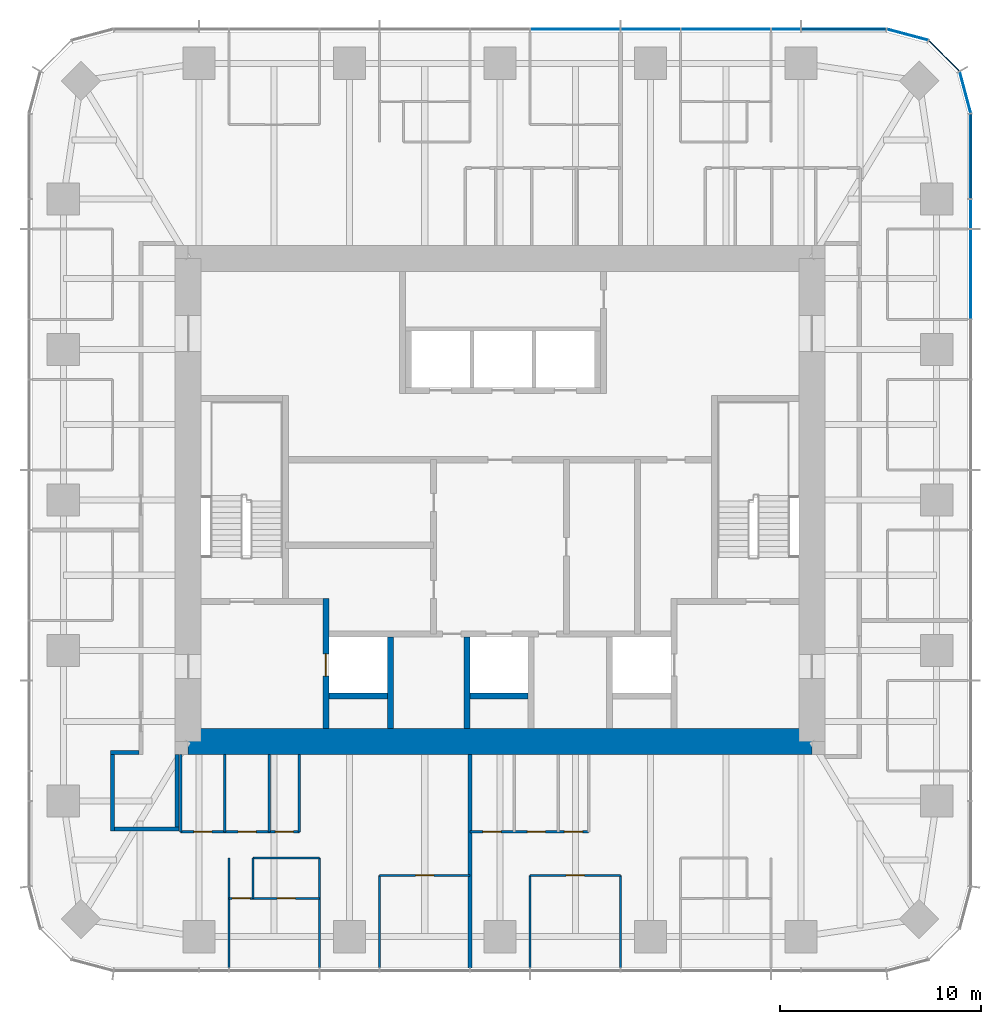
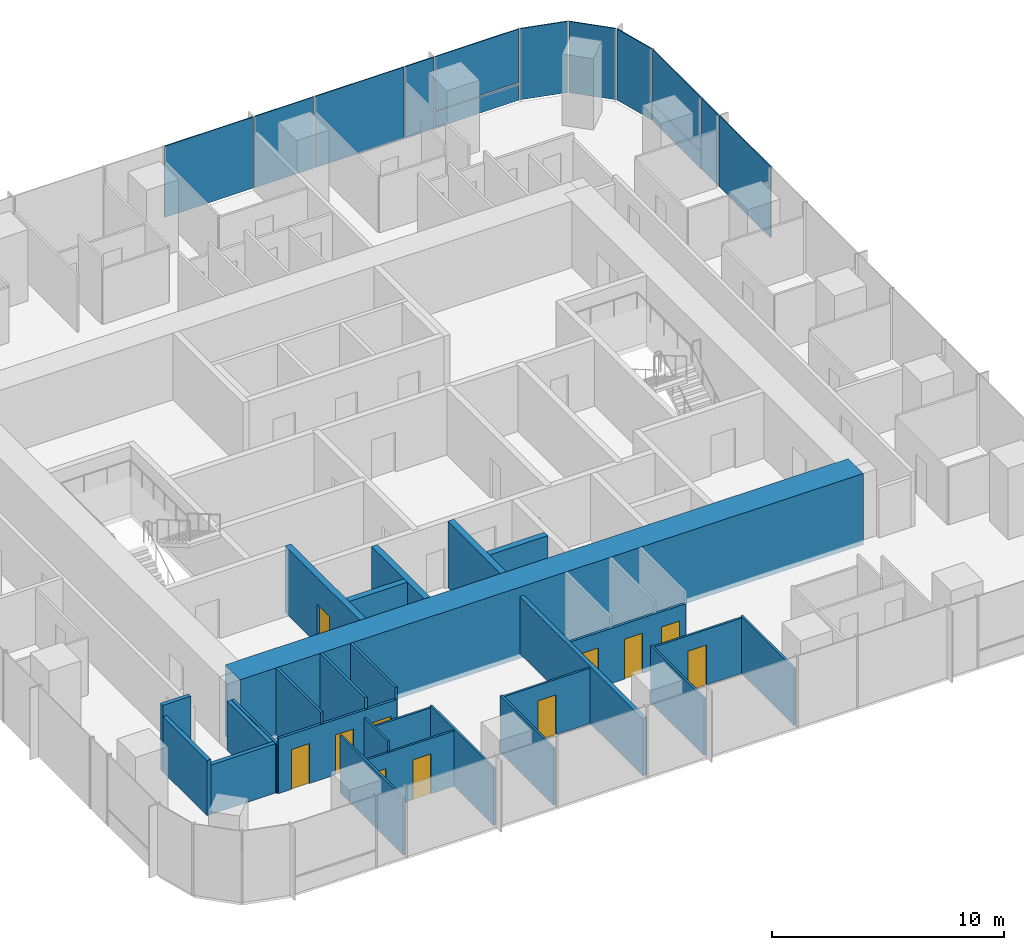
# One storey, part 8 of 12: 27 walls, 13 plates, 11 doors, 11 openings, 3 elements without a shape of their own.
"""IFC4 building model written with IfcOpenShell, lengths in metres."""

from ifc_helpers import new_model, si_unit, direction, frame, frame_2d, origin, origin_2d, place, context, subcontext, project, spatial, rectangle, extrude, material, layer, layer_set, type_object, element, fill, aggregate, save


model = new_model("IFC4")

# Units and contexts
model_context = context("Model", 3, precision=1e-05, world=origin(), true_north=direction((0.0, 1.0)))
body_context = subcontext(model_context, "Body", "Model", "MODEL_VIEW")
ifc_project = project(units=[si_unit("LENGTHUNIT", "METRE"), si_unit("AREAUNIT", "SQUARE_METRE"), si_unit("VOLUMEUNIT", "CUBIC_METRE"), si_unit("PLANEANGLEUNIT", "RADIAN"), si_unit("MASSUNIT", "GRAM", prefix="KILO")], contexts=[model_context])

# Site, building, storey
site_placement = place(None, origin())
site = spatial("IfcSite", under=ifc_project, at=site_placement, CompositionType="ELEMENT")
building_placement = place(site_placement, origin())
building = spatial("IfcBuilding", under=site, at=building_placement, Name="Khuree Lantern Residences", CompositionType="ELEMENT")
storey_placement = place(building_placement, frame((0.0, 0.0, 323.25)))
storey = spatial("IfcBuildingStorey", under=building, at=storey_placement, Name="L81", CompositionType="ELEMENT", Elevation=323.25)

# Curtain wall, plates
ifc_material_1 = material(Name="Bronze anodised aluminium", Category="aluminium")
curtain_wall_type_1 = type_object("IfcCurtainWallType", Name="CW-T2 TOWER CORNER CURTAIN WALL", PredefinedType="USERDEFINED", material=ifc_material_1)
curtain_wall_1_placement = place(storey_placement, origin())
curtain_wall_1 = element("IfcCurtainWall", 1, at=curtain_wall_1_placement, inside=storey, type_object=curtain_wall_type_1, Name="L81 NORTH-EAST CORNER CURTAIN WALL", ObjectType="Faceted corner curtain wall", PredefinedType="USERDEFINED")
ifc_material_2 = material(Name="Bronze tinted triple glazing", Category="glass")
ifc_layer_1 = layer(ifc_material_2, 0.048095703125)
ifc_layer_set_1 = layer_set([ifc_layer_1], Name="FACET PANEL P4")
plate_type_1 = type_object("IfcPlateType", Name="FACET PANEL P4", PredefinedType="CURTAIN_PANEL", material=ifc_layer_set_1)
plate_1_placement = place(storey_placement, frame((23.119140625, 20.248046875, 0.0), z_axis=(0.0, 0.0, 1.0), x_axis=(-0.2588189146, 0.965925861257, 0.0)))
plate_1 = element("IfcPlate", 2, at=plate_1_placement, type_object=plate_type_1, Name="L81 NORTH-EAST CORNER PANEL 15.1", PredefinedType="CURTAIN_PANEL", context=body_context, shape_type="SweptSolid", body=[
    extrude(rectangle(XDim=2.09814453125, YDim=0.048095703125, at=origin_2d()), origin(), (0.0, 0.0, 1.0), 3.75),
])
plate_2_placement = place(storey_placement, frame((22.068603515625, 22.068603515625, 0.0), z_axis=(0.0, 0.0, 1.0), x_axis=(-0.707106781187, 0.707106781187, 0.0)))
plate_2 = element("IfcPlate", 3, at=plate_2_placement, type_object=plate_type_1, Name="L81 NORTH-EAST CORNER PANEL 16.1", PredefinedType="CURTAIN_PANEL", context=body_context, shape_type="SweptSolid", body=[
    extrude(rectangle(XDim=2.093994140625, YDim=0.048095703125, at=origin_2d()), origin(), (0.0, 0.0, 1.0), 3.75),
])
plate_3_placement = place(storey_placement, frame((20.248046875, 23.119140625, 0.0), z_axis=(0.0, 0.0, 1.0), x_axis=(-0.965925861257, 0.2588189146, 0.0)))
plate_3 = element("IfcPlate", 4, at=plate_3_placement, type_object=plate_type_1, Name="L81 NORTH-EAST CORNER PANEL 17.1", PredefinedType="CURTAIN_PANEL", context=body_context, shape_type="SweptSolid", body=[
    extrude(rectangle(XDim=2.09814453125, YDim=0.048095703125, at=origin_2d()), origin(), (0.0, 0.0, 1.0), 3.75),
])
aggregate(curtain_wall_1, [plate_1, plate_2, plate_3])

# Curtain wall, plate
curtain_wall_type_2 = type_object("IfcCurtainWallType", Name="CW-T1 TOWER FACE CURTAIN WALL", PredefinedType="USERDEFINED", material=ifc_material_1)
curtain_wall_2_placement = place(storey_placement, origin())
curtain_wall_2 = element("IfcCurtainWall", 5, at=curtain_wall_2_placement, inside=storey, type_object=curtain_wall_type_2, Name="L81 EAST FACE CURTAIN WALL", ObjectType="Stick-built curtain wall", PredefinedType="USERDEFINED")
ifc_material_3 = material(Name="Bronze tinted triple glazing with a ceramic-fritted spandrel band", Category="glass")
ifc_layer_2 = layer(ifc_material_3, 0.048095703125)
ifc_layer_set_2 = layer_set([ifc_layer_2], Name="FIXED LIGHT PANEL P11")
plate_type_2 = type_object("IfcPlateType", Name="FIXED LIGHT PANEL P11", PredefinedType="CURTAIN_PANEL", material=ifc_layer_set_2)
plate_4_placement = place(storey_placement, frame((23.39990234375, 11.219970703125, 0.0), z_axis=(0.0, 0.0, 1.0), x_axis=(0.0, 1.0, 0.0)))
plate_4 = element("IfcPlate", 6, at=plate_4_placement, type_object=plate_type_2, Name="L81 EAST FACE PANEL 12.1", PredefinedType="CURTAIN_PANEL", context=body_context, shape_type="SweptSolid", body=[
    extrude(rectangle(XDim=4.423095703125, YDim=0.048095703125, at=origin_2d()), origin(), (0.0, 0.0, 1.0), 3.75),
])

# Curtain wall, plates
curtain_wall_3_placement = place(storey_placement, origin())
curtain_wall_3 = element("IfcCurtainWall", 7, at=curtain_wall_3_placement, inside=storey, type_object=curtain_wall_type_2, Name="L81 NORTH FACE CURTAIN WALL", ObjectType="Stick-built curtain wall", PredefinedType="USERDEFINED")
plate_5_placement = place(storey_placement, frame((11.219970703125, 23.39990234375, 0.0), z_axis=(0.0, 0.0, 1.0), x_axis=(-1.0, 0.0, 0.0)))
plate_5 = element("IfcPlate", 8, at=plate_5_placement, type_object=plate_type_2, Name="L81 NORTH FACE PANEL 20.1", PredefinedType="CURTAIN_PANEL", context=body_context, shape_type="SweptSolid", body=[
    extrude(rectangle(XDim=4.423095703125, YDim=0.048095703125, at=origin_2d()), origin(), (0.0, 0.0, 1.0), 3.75),
])
plate_6_placement = place(storey_placement, frame((3.739990234375, 23.39990234375, 0.0), z_axis=(0.0, 0.0, 1.0), x_axis=(-1.0, 0.0, 0.0)))
plate_6 = element("IfcPlate", 9, at=plate_6_placement, type_object=plate_type_2, Name="L81 NORTH FACE PANEL 22.1", PredefinedType="CURTAIN_PANEL", context=body_context, shape_type="SweptSolid", body=[
    extrude(rectangle(XDim=4.423095703125, YDim=0.048095703125, at=origin_2d()), origin(), (0.0, 0.0, 1.0), 3.75),
])
ifc_material_4 = material(Name="Bronze tinted triple glazing, two aluminium-framed sashes in one frame", Category="aluminium")
ifc_layer_3 = layer(ifc_material_4, 0.048095703125)
ifc_layer_set_3 = layer_set([ifc_layer_3], Name="SASH PAIR PANEL P12")
plate_type_3 = type_object("IfcPlateType", Name="SASH PAIR PANEL P12", PredefinedType="CURTAIN_PANEL", material=ifc_layer_set_3)
plate_7_placement = place(storey_placement, frame((7.47998046875, 23.39990234375, 0.0), z_axis=(0.0, 0.0, 1.0), x_axis=(-1.0, 0.0, 0.0)))
plate_7 = element("IfcPlate", 10, at=plate_7_placement, type_object=plate_type_3, Name="L81 NORTH FACE PANEL 21.1", PredefinedType="CURTAIN_PANEL", context=body_context, shape_type="SweptSolid", body=[
    extrude(rectangle(XDim=2.927001953125, YDim=0.048095703125, at=origin_2d()), origin(), (0.0, 0.0, 1.0), 3.75),
])

# Plate
ifc_material_5 = material(Name="Bronze tinted triple glazing, aluminium-framed sash", Category="aluminium")
ifc_layer_4 = layer(ifc_material_5, 0.048095703125)
ifc_layer_set_4 = layer_set([ifc_layer_4], Name="SASH PANEL P3")
plate_type_4 = type_object("IfcPlateType", Name="SASH PANEL P3", PredefinedType="CURTAIN_PANEL", material=ifc_layer_set_4)
plate_8_placement = place(storey_placement, frame((23.39990234375, 14.2119140625, 0.0), z_axis=(0.0, 0.0, 1.0), x_axis=(0.0, 1.0, 0.0)))
plate_8 = element("IfcPlate", 11, at=plate_8_placement, type_object=plate_type_4, Name="L81 EAST FACE PANEL 13.1", PredefinedType="CURTAIN_PANEL", context=body_context, shape_type="SweptSolid", body=[
    extrude(rectangle(XDim=1.430908203125, YDim=0.048095703125, at=origin_2d()), origin(), (0.0, 0.0, 1.0), 3.75),
])

plate_9_placement = place(storey_placement, frame((14.2119140625, 23.39990234375, 0.0), z_axis=(0.0, 0.0, 1.0), x_axis=(-1.0, 0.0, 0.0)))
plate_9 = element("IfcPlate", 12, at=plate_9_placement, type_object=plate_type_4, Name="L81 NORTH FACE PANEL 19.1", PredefinedType="CURTAIN_PANEL", context=body_context, shape_type="SweptSolid", body=[
    extrude(rectangle(XDim=1.430908203125, YDim=0.048095703125, at=origin_2d()), origin(), (0.0, 0.0, 1.0), 3.75),
])

ifc_material_6 = material(Name="Bronze anodised aluminium insulated spandrel", Category="aluminium")
ifc_layer_5 = layer(ifc_material_6, 0.06005859375)
ifc_layer_set_5 = layer_set([ifc_layer_5], Name="SPANDREL PANEL P2")
plate_type_5 = type_object("IfcPlateType", Name="SPANDREL PANEL P2", PredefinedType="CURTAIN_PANEL", material=ifc_layer_set_5)
plate_10_placement = place(storey_placement, frame((23.39990234375, 17.077880859375, 0.0), z_axis=(0.0, 0.0, 1.0), x_axis=(0.0, 1.0, 0.0)))
plate_10 = element("IfcPlate", 13, at=plate_10_placement, type_object=plate_type_5, Name="L81 EAST FACE PANEL 14.1", PredefinedType="CURTAIN_PANEL", context=body_context, shape_type="SweptSolid", body=[
    extrude(rectangle(XDim=4.170654296875, YDim=0.06005859375, at=origin_2d()), origin(), (0.0, 0.0, 1.0), 0.867431640625),
])

plate_11_placement = place(storey_placement, frame((17.077880859375, 23.39990234375, 0.0), z_axis=(0.0, 0.0, 1.0), x_axis=(-1.0, 0.0, 0.0)))
plate_11 = element("IfcPlate", 14, at=plate_11_placement, type_object=plate_type_5, Name="L81 NORTH FACE PANEL 18.1", PredefinedType="CURTAIN_PANEL", context=body_context, shape_type="SweptSolid", body=[
    extrude(rectangle(XDim=4.170654296875, YDim=0.06005859375, at=origin_2d()), origin(), (0.0, 0.0, 1.0), 0.867431640625),
])

ifc_layer_6 = layer(ifc_material_2, 0.048095703125)
ifc_layer_set_6 = layer_set([ifc_layer_6], Name="VISION PANEL P1")
plate_type_6 = type_object("IfcPlateType", Name="VISION PANEL P1", PredefinedType="CURTAIN_PANEL", material=ifc_layer_set_6)
plate_12_placement = place(storey_placement, frame((23.39990234375, 17.078369140625, 0.9326171875), z_axis=(0.0, 0.0, 1.0), x_axis=(0.0, 1.0, 0.0)))
plate_12 = element("IfcPlate", 15, at=plate_12_placement, type_object=plate_type_6, Name="L81 EAST FACE PANEL 14.2", PredefinedType="CURTAIN_PANEL", context=body_context, shape_type="SweptSolid", body=[
    extrude(rectangle(XDim=4.171630859375, YDim=0.048095703125, at=origin_2d()), origin(), (0.0, 0.0, 1.0), 2.8173828125),
])

aggregate(curtain_wall_2, [plate_4, plate_8, plate_10, plate_12])

plate_13_placement = place(storey_placement, frame((17.078369140625, 23.39990234375, 0.9326171875), z_axis=(0.0, 0.0, 1.0), x_axis=(-1.0, 0.0, 0.0)))
plate_13 = element("IfcPlate", 16, at=plate_13_placement, type_object=plate_type_6, Name="L81 NORTH FACE PANEL 18.2", PredefinedType="CURTAIN_PANEL", context=body_context, shape_type="SweptSolid", body=[
    extrude(rectangle(XDim=4.171630859375, YDim=0.048095703125, at=origin_2d()), origin(), (0.0, 0.0, 1.0), 2.8173828125),
])

aggregate(curtain_wall_3, [plate_11, plate_13, plate_9, plate_5, plate_7, plate_6])

# Wall, openings, doors
ifc_material_7 = material(Name="Moisture-resistant gypsum board on steel studs", Category="steel")
ifc_layer_7 = layer(ifc_material_7, 0.125)
ifc_layer_set_7 = layer_set([ifc_layer_7], Name="BATHROOM WALL BTW125")
wall_type_1 = type_object("IfcWallType", Name="BATHROOM WALL BTW125", PredefinedType="PARTITIONING", material=ifc_layer_set_7)
wall_1_placement = place(storey_placement, frame((-15.866455078125, -16.496337890625, 0.0), z_axis=(0.0, 0.0, 1.0), x_axis=(1.0, 0.0, 0.0)))
wall_1 = element("IfcWall", 17, at=wall_1_placement, inside=storey, type_object=wall_type_1, Name="L81 BATHROOM WALL 03", PredefinedType="PARTITIONING", context=body_context, shape_type="SweptSolid", body=[
    extrude(rectangle(XDim=5.89990234375, YDim=0.125, at=frame_2d((2.949951171875, 0.0))), origin(), (0.0, 0.0, 1.0), 2.89990234375),
])
opening_1_placement = place(wall_1_placement, frame((0.64990234375, 0.0, 0.0)))
opening_1 = element("IfcOpeningElement", 18, at=opening_1_placement, cuts=wall_1, Name="Opening 81-046", PredefinedType="OPENING", context=body_context, shape_type="SweptSolid", body=[
    extrude(rectangle(XDim=0.89990234375, YDim=2.10009765625, at=frame_2d((0.449951171875, 1.050048828125))), frame((0.0, 0.072509765625, 0.0), z_axis=(0.0, -1.0, 0.0), x_axis=(1.0, 0.0, 0.0)), (0.0, 0.0, 1.0), 0.14501953125),
])
opening_2_placement = place(wall_1_placement, frame((2.85009765625, 0.0, 0.0)))
opening_2 = element("IfcOpeningElement", 19, at=opening_2_placement, cuts=wall_1, Name="Opening 81-047", PredefinedType="OPENING", context=body_context, shape_type="SweptSolid", body=[
    extrude(rectangle(XDim=0.89990234375, YDim=2.10009765625, at=frame_2d((0.449951171875, 1.050048828125))), frame((0.0, 0.072509765625, 0.0), z_axis=(0.0, -1.0, 0.0), x_axis=(1.0, 0.0, 0.0)), (0.0, 0.0, 1.0), 0.14501953125),
])
opening_3_placement = place(wall_1_placement, frame((4.699951171875, 0.0, 0.0)))
opening_3 = element("IfcOpeningElement", 20, at=opening_3_placement, cuts=wall_1, Name="Opening 81-048", PredefinedType="OPENING", context=body_context, shape_type="SweptSolid", body=[
    extrude(rectangle(XDim=0.89990234375, YDim=2.10009765625, at=frame_2d((0.449951171875, 1.050048828125))), frame((0.0, 0.072509765625, 0.0), z_axis=(0.0, -1.0, 0.0), x_axis=(1.0, 0.0, 0.0)), (0.0, 0.0, 1.0), 0.14501953125),
])
ifc_material_8 = material(Name="Timber door leaf in hardwood frame", Category="wood")
door_type_1 = type_object("IfcDoorType", Name="BATHROOM DOOR 900X2100", OperationType="SINGLE_SWING_LEFT", PredefinedType="DOOR", material=ifc_material_8)
door_1_placement = place(opening_1_placement, origin())
door_1 = element("IfcDoor", 21, at=door_1_placement, inside=storey, type_object=door_type_1, Name="Bathroom door 81-046", OperationType="SINGLE_SWING_LEFT", OverallHeight=2.10009765625, OverallWidth=0.89990234375, PredefinedType="DOOR", context=body_context, shape_type="SweptSolid", body=[
    extrude(rectangle(XDim=0.89990234375, YDim=2.10009765625, at=frame_2d((0.449951171875, 1.050048828125))), frame((0.0, 0.02490234375, 0.0), z_axis=(0.0, -1.0, 0.0), x_axis=(1.0, 0.0, 0.0)), (0.0, 0.0, 1.0), 0.050048828125),
])
fill(opening_1, door_1)
door_2_placement = place(opening_2_placement, origin())
door_2 = element("IfcDoor", 22, at=door_2_placement, inside=storey, type_object=door_type_1, Name="Bathroom door 81-047", OperationType="SINGLE_SWING_LEFT", OverallHeight=2.10009765625, OverallWidth=0.89990234375, PredefinedType="DOOR", context=body_context, shape_type="SweptSolid", body=[
    extrude(rectangle(XDim=0.89990234375, YDim=2.10009765625, at=frame_2d((0.449951171875, 1.050048828125))), frame((0.0, 0.02490234375, 0.0), z_axis=(0.0, -1.0, 0.0), x_axis=(1.0, 0.0, 0.0)), (0.0, 0.0, 1.0), 0.050048828125),
])
fill(opening_2, door_2)
door_type_2 = type_object("IfcDoorType", Name="WC DOOR 900X2100", OperationType="SINGLE_SWING_LEFT", PredefinedType="DOOR", material=ifc_material_8)
door_3_placement = place(opening_3_placement, origin())
door_3 = element("IfcDoor", 23, at=door_3_placement, inside=storey, type_object=door_type_2, Name="WC door 81-048", OperationType="SINGLE_SWING_LEFT", OverallHeight=2.10009765625, OverallWidth=0.89990234375, PredefinedType="DOOR", context=body_context, shape_type="SweptSolid", body=[
    extrude(rectangle(XDim=0.89990234375, YDim=2.10009765625, at=frame_2d((0.449951171875, 1.050048828125))), frame((0.0, 0.02490234375, 0.0), z_axis=(0.0, -1.0, 0.0), x_axis=(1.0, 0.0, 0.0)), (0.0, 0.0, 1.0), 0.050048828125),
])
fill(opening_3, door_3)

# Walls
wall_2_placement = place(storey_placement, frame((-15.866455078125, -12.64990234375, 0.0), z_axis=(0.0, 0.0, 1.0), x_axis=(0.0, -1.0, 0.0)))
element("IfcWall", 24, at=wall_2_placement, inside=storey, type_object=wall_type_1, Name="L81 BATHROOM WALL 03", PredefinedType="PARTITIONING", context=body_context, shape_type="SweptSolid", body=[
    extrude(rectangle(XDim=3.846435546875, YDim=0.125, at=frame_2d((1.92333984375, 0.0))), origin(), (0.0, 0.0, 1.0), 2.60009765625),
])
for number, where, z_axis, x_axis, name in (
    (25, (-13.66650390625, -12.64990234375, 0.0), (0.0, 0.0, 1.0), (0.0, -1.0, 0.0), "L81 BATHROOM WALL 03"),
    (26, (-11.466552734375, -12.64990234375, 0.0), (0.0, 0.0, 1.0), (0.0, -1.0, 0.0), "L81 BATHROOM WALL 03"),
    (27, (-9.966552734375, -12.64990234375, 0.0), (0.0, 0.0, 1.0), (0.0, -1.0, 0.0), "L81 BATHROOM WALL 03"),
):
    element("IfcWall", number, at=place(storey_placement, frame(where, z_axis=z_axis, x_axis=x_axis)), inside=storey, type_object=wall_type_1, Name=name, PredefinedType="PARTITIONING", context=body_context, shape_type="SweptSolid", body=[
        extrude(rectangle(XDim=3.846435546875, YDim=0.125, at=frame_2d((1.92333984375, 0.0))), origin(), (0.0, 0.0, 1.0), 3.5),
    ])

# Wall, openings, doors
wall_3_placement = place(storey_placement, frame((-1.49609375, -16.496337890625, 0.0), z_axis=(0.0, 0.0, 1.0), x_axis=(1.0, 0.0, 0.0)))
wall_3 = element("IfcWall", 28, at=wall_3_placement, inside=storey, type_object=wall_type_1, Name="L81 BATHROOM WALL 04", PredefinedType="PARTITIONING", context=body_context, shape_type="SweptSolid", body=[
    extrude(rectangle(XDim=5.900146484375, YDim=0.125, at=frame_2d((2.9501953125, 0.0))), origin(), (0.0, 0.0, 1.0), 2.89990234375),
])
opening_4_placement = place(wall_3_placement, frame((0.64990234375, 0.0, 0.0)))
opening_4 = element("IfcOpeningElement", 29, at=opening_4_placement, cuts=wall_3, Name="Opening 81-054", PredefinedType="OPENING", context=body_context, shape_type="SweptSolid", body=[
    extrude(rectangle(XDim=0.89990234375, YDim=2.10009765625, at=frame_2d((0.449951171875, 1.050048828125))), frame((0.0, 0.072509765625, 0.0), z_axis=(0.0, -1.0, 0.0), x_axis=(1.0, 0.0, 0.0)), (0.0, 0.0, 1.0), 0.14501953125),
])
opening_5_placement = place(wall_3_placement, frame((2.85009765625, 0.0, 0.0)))
opening_5 = element("IfcOpeningElement", 30, at=opening_5_placement, cuts=wall_3, Name="Opening 81-055", PredefinedType="OPENING", context=body_context, shape_type="SweptSolid", body=[
    extrude(rectangle(XDim=0.89990234375, YDim=2.10009765625, at=frame_2d((0.449951171875, 1.050048828125))), frame((0.0, 0.072509765625, 0.0), z_axis=(0.0, -1.0, 0.0), x_axis=(1.0, 0.0, 0.0)), (0.0, 0.0, 1.0), 0.14501953125),
])
opening_6_placement = place(wall_3_placement, frame((4.699951171875, 0.0, 0.0)))
opening_6 = element("IfcOpeningElement", 31, at=opening_6_placement, cuts=wall_3, Name="Opening 81-056", PredefinedType="OPENING", context=body_context, shape_type="SweptSolid", body=[
    extrude(rectangle(XDim=0.89990234375, YDim=2.10009765625, at=frame_2d((0.449951171875, 1.050048828125))), frame((0.0, 0.072509765625, 0.0), z_axis=(0.0, -1.0, 0.0), x_axis=(1.0, 0.0, 0.0)), (0.0, 0.0, 1.0), 0.14501953125),
])
door_4_placement = place(opening_4_placement, origin())
door_4 = element("IfcDoor", 32, at=door_4_placement, inside=storey, type_object=door_type_1, Name="Bathroom door 81-054", OperationType="SINGLE_SWING_LEFT", OverallHeight=2.10009765625, OverallWidth=0.89990234375, PredefinedType="DOOR", context=body_context, shape_type="SweptSolid", body=[
    extrude(rectangle(XDim=0.89990234375, YDim=2.10009765625, at=frame_2d((0.449951171875, 1.050048828125))), frame((0.0, 0.02490234375, 0.0), z_axis=(0.0, -1.0, 0.0), x_axis=(1.0, 0.0, 0.0)), (0.0, 0.0, 1.0), 0.050048828125),
])
fill(opening_4, door_4)
door_5_placement = place(opening_5_placement, origin())
door_5 = element("IfcDoor", 33, at=door_5_placement, inside=storey, type_object=door_type_1, Name="Bathroom door 81-055", OperationType="SINGLE_SWING_LEFT", OverallHeight=2.10009765625, OverallWidth=0.89990234375, PredefinedType="DOOR", context=body_context, shape_type="SweptSolid", body=[
    extrude(rectangle(XDim=0.89990234375, YDim=2.10009765625, at=frame_2d((0.449951171875, 1.050048828125))), frame((0.0, 0.02490234375, 0.0), z_axis=(0.0, -1.0, 0.0), x_axis=(1.0, 0.0, 0.0)), (0.0, 0.0, 1.0), 0.050048828125),
])
fill(opening_5, door_5)
door_6_placement = place(opening_6_placement, origin())
door_6 = element("IfcDoor", 34, at=door_6_placement, inside=storey, type_object=door_type_2, Name="WC door 81-056", OperationType="SINGLE_SWING_LEFT", OverallHeight=2.10009765625, OverallWidth=0.89990234375, PredefinedType="DOOR", context=body_context, shape_type="SweptSolid", body=[
    extrude(rectangle(XDim=0.89990234375, YDim=2.10009765625, at=frame_2d((0.449951171875, 1.050048828125))), frame((0.0, 0.02490234375, 0.0), z_axis=(0.0, -1.0, 0.0), x_axis=(1.0, 0.0, 0.0)), (0.0, 0.0, 1.0), 0.050048828125),
])
fill(opening_6, door_6)

# Wall, opening, door
ifc_material_9 = material(Name="Dense concrete blockwork", Category="masonry")
ifc_layer_8 = layer(ifc_material_9, 0.300048828125)
ifc_layer_set_8 = layer_set([ifc_layer_8], Name="CORE PARTITION WALL CPW300 EI 120")
wall_type_2 = type_object("IfcWallType", Name="CORE PARTITION WALL CPW300 EI 120", PredefinedType="PARTITIONING", material=ifc_layer_set_8)
wall_4_placement = place(storey_placement, frame((-8.64990234375, -11.35009765625, 0.0), z_axis=(0.0, 0.0, 1.0), x_axis=(0.0, 1.0, 0.0)))
wall_4 = element("IfcWall", 35, at=wall_4_placement, inside=storey, type_object=wall_type_2, Name="L81 CORE WALL FL1W", PredefinedType="PARTITIONING", context=body_context, shape_type="SweptSolid", body=[
    extrude(rectangle(XDim=6.4501953125, YDim=0.300048828125, at=frame_2d((3.22509765625, 0.0))), origin(), (0.0, 0.0, 1.0), 3.5),
])
opening_7_placement = place(wall_4_placement, frame((2.60009765625, 0.0, 0.0)))
opening_7 = element("IfcOpeningElement", 36, at=opening_7_placement, cuts=wall_4, Name="Opening 81-007", PredefinedType="OPENING", context=body_context, shape_type="SweptSolid", body=[
    extrude(rectangle(XDim=1.10009765625, YDim=2.10009765625, at=frame_2d((0.550048828125, 1.050048828125))), frame((0.0, 0.16015625, 0.0), z_axis=(0.0, -1.0, 0.0), x_axis=(1.0, 0.0, 0.0)), (0.0, 0.0, 1.0), 0.320068359375),
])
ifc_material_10 = material(Name="Stainless steel lift landing door", Category="steel")
door_type_3 = type_object("IfcDoorType", Name="LIFT LANDING DOOR 1100X2100 E 120", OperationType="DOUBLE_DOOR_SLIDING", PredefinedType="DOOR", material=ifc_material_10)
door_7_placement = place(opening_7_placement, origin())
door_7 = element("IfcDoor", 37, at=door_7_placement, inside=storey, type_object=door_type_3, Name="Landing door FL1 81-007", OperationType="DOUBLE_DOOR_SLIDING", OverallHeight=2.10009765625, OverallWidth=1.10009765625, PredefinedType="DOOR", context=body_context, shape_type="SweptSolid", body=[
    extrude(rectangle(XDim=1.10009765625, YDim=2.10009765625, at=frame_2d((0.550048828125, 1.050048828125))), frame((0.0, 0.02490234375, 0.0), z_axis=(0.0, -1.0, 0.0), x_axis=(1.0, 0.0, 0.0)), (0.0, 0.0, 1.0), 0.050048828125),
])
fill(opening_7, door_7)

# Walls
for number, where, z_axis, x_axis, name in (
    (38, (-5.449951171875, -11.35009765625, 0.0), (0.0, 0.0, 1.0), (0.0, 1.0, 0.0), "L81 CORE WALL FL1E"),
    (39, (-1.64990234375, -11.35009765625, 0.0), (0.0, 0.0, 1.0), (0.0, 1.0, 0.0), "L81 CORE WALL SL1W"),
):
    element("IfcWall", number, at=place(storey_placement, frame(where, z_axis=z_axis, x_axis=x_axis)), inside=storey, type_object=wall_type_2, Name=name, PredefinedType="PARTITIONING", context=body_context, shape_type="SweptSolid", body=[
        extrude(rectangle(XDim=4.550048828125, YDim=0.300048828125, at=frame_2d((2.27490234375, 0.0))), origin(), (0.0, 0.0, 1.0), 3.5),
    ])
for number, where, z_axis, x_axis, name in (
    (40, (-8.5, -9.75, 0.0), (0.0, 0.0, 1.0), (1.0, 0.0, 0.0), "L81 CORE WALL FL1S"),
    (41, (-1.5, -9.75, 0.0), (0.0, 0.0, 1.0), (1.0, 0.0, 0.0), "L81 CORE WALL SL1S"),
):
    element("IfcWall", number, at=place(storey_placement, frame(where, z_axis=z_axis, x_axis=x_axis)), inside=storey, type_object=wall_type_2, Name=name, PredefinedType="PARTITIONING", context=body_context, shape_type="SweptSolid", body=[
        extrude(rectangle(XDim=2.89990234375, YDim=0.300048828125, at=frame_2d((1.449951171875, 0.0))), origin(), (0.0, 0.0, 1.0), 3.5),
    ])
ifc_material_11 = material(Name="Gypsum board on steel studs", Category="steel")
ifc_layer_9 = layer(ifc_material_11, 0.199951171875)
ifc_layer_set_9 = layer_set([ifc_layer_9], Name="CORRIDOR WALL CRW200 EI 60")
wall_type_3 = type_object("IfcWallType", Name="CORRIDOR WALL CRW200 EI 60", PredefinedType="PARTITIONING", material=ifc_layer_set_9)
wall_5_placement = place(storey_placement, frame((-17.949951171875, -12.550048828125, 0.0), z_axis=(0.0, 0.0, 1.0), x_axis=(-1.0, 0.0, 0.0)))
element("IfcWall", 42, at=wall_5_placement, inside=storey, type_object=wall_type_3, Name="L81 RESIDENTS LOUNGE WALL", PredefinedType="PARTITIONING", context=body_context, shape_type="SweptSolid", body=[
    extrude(rectangle(XDim=1.400146484375, YDim=0.199951171875, at=frame_2d((0.7001953125, 0.0))), origin(), (0.0, 0.0, 1.0), 3.5),
])
wall_6_placement = place(storey_placement, frame((-19.25, -12.449951171875, 0.0), z_axis=(0.0, 0.0, 1.0), x_axis=(0.0, -1.0, 0.0)))
element("IfcWall", 43, at=wall_6_placement, inside=storey, type_object=wall_type_3, Name="L81 RESIDENTS LOUNGE WALL", PredefinedType="PARTITIONING", context=body_context, shape_type="SweptSolid", body=[
    extrude(rectangle(XDim=4.0, YDim=0.199951171875, at=frame_2d((2.0, 0.0))), origin(), (0.0, 0.0, 1.0), 2.89990234375),
])
wall_7_placement = place(storey_placement, frame((-19.14990234375, -16.35009765625, 0.0), z_axis=(0.0, 0.0, 1.0), x_axis=(1.0, 0.0, 0.0)))
element("IfcWall", 44, at=wall_7_placement, inside=storey, type_object=wall_type_3, Name="L81 RESIDENTS LOUNGE WALL", PredefinedType="PARTITIONING", context=body_context, shape_type="SweptSolid", body=[
    extrude(rectangle(XDim=3.199951171875, YDim=0.199951171875, at=frame_2d((1.60009765625, 0.0))), origin(), (0.0, 0.0, 1.0), 2.60009765625),
])
wall_8_placement = place(storey_placement, frame((-16.050048828125, -16.449951171875, 0.0), z_axis=(0.0, 0.0, 1.0), x_axis=(0.0, 1.0, 0.0)))
element("IfcWall", 45, at=wall_8_placement, inside=storey, type_object=wall_type_3, Name="L81 RESIDENTS LOUNGE WALL", PredefinedType="PARTITIONING", context=body_context, shape_type="SweptSolid", body=[
    extrude(rectangle(XDim=3.800048828125, YDim=0.199951171875, at=frame_2d((1.89990234375, 0.0))), origin(), (0.0, 0.0, 1.0), 2.60009765625),
])
ifc_material_12 = material(Name="Concrete C50/60", Category="concrete")
ifc_layer_10 = layer(ifc_material_12, 1.300048828125)
ifc_layer_set_10 = layer_set([ifc_layer_10], Name="CW1300-C50 CORE WALL C50 1300")
wall_type_4 = type_object("IfcWallType", Name="CW1300-C50 CORE WALL C50 1300", PredefinedType="SHEAR", material=ifc_layer_set_10)
wall_9_placement = place(storey_placement, frame((-15.5, -12.0, -0.25), z_axis=(0.0, 0.0, 1.0), x_axis=(1.0, 0.0, 0.0)))
element("IfcWall", 46, at=wall_9_placement, inside=storey, type_object=wall_type_4, Name="Core wall S", PredefinedType="SHEAR", context=body_context, shape_type="SweptSolid", body=[
    extrude(rectangle(XDim=31.0, YDim=1.300048828125, at=frame_2d((15.5, 0.0))), origin(), (0.0, 0.0, 1.0), 3.75),
])
ifc_layer_11 = layer(ifc_material_11, 0.199951171875)
ifc_layer_set_11 = layer_set([ifc_layer_11], Name="DEMISING WALL DMW200 EI 90")
wall_type_5 = type_object("IfcWallType", Name="DEMISING WALL DMW200 EI 90", PredefinedType="PARTITIONING", material=ifc_layer_set_11)
wall_10_placement = place(storey_placement, frame((-1.49609375, -12.64990234375, 0.0), z_axis=(0.0, 0.0, 1.0), x_axis=(0.0, -1.0, 0.0)))
element("IfcWall", 47, at=wall_10_placement, inside=storey, type_object=wall_type_5, Name="L81 DEMISING WALL 04", PredefinedType="PARTITIONING", context=body_context, shape_type="SweptSolid", body=[
    extrude(rectangle(XDim=10.60009765625, YDim=0.199951171875, at=frame_2d((5.300048828125, 0.0))), origin(), (0.0, 0.0, 1.0), 3.010009765625),
])
ifc_layer_12 = layer(ifc_material_11, 0.10009765625)
ifc_layer_set_12 = layer_set([ifc_layer_12], Name="PARTITION PT100")
wall_type_6 = type_object("IfcWallType", Name="PARTITION PT100", PredefinedType="PARTITIONING", material=ifc_layer_set_12)
for number, where, z_axis, x_axis, name in (
    (48, (-13.464111328125, -17.79638671875, 0.0), (0.0, 0.0, 1.0), (0.0, -1.0, 0.0), "L81 PARTITION 03"),
    (49, (-8.97607421875, -17.79638671875, 0.0), (0.0, 0.0, 1.0), (0.0, -1.0, 0.0), "L81 PARTITION 03"),
):
    element("IfcWall", number, at=place(storey_placement, frame(where, z_axis=z_axis, x_axis=x_axis)), inside=storey, type_object=wall_type_6, Name=name, PredefinedType="PARTITIONING", context=body_context, shape_type="SweptSolid", body=[
        extrude(rectangle(XDim=5.45361328125, YDim=0.10009765625, at=frame_2d((2.726806640625, 0.0))), origin(), (0.0, 0.0, 1.0), 3.010009765625),
    ])
for number, where, z_axis, x_axis, name in (
    (50, (-5.98388671875, -18.64990234375, 0.0), (0.0, 0.0, 1.0), (0.0, -1.0, 0.0), "L81 PARTITION 03"),
    (51, (1.49609375, -18.64990234375, 0.0), (0.0, 0.0, 1.0), (0.0, -1.0, 0.0), "L81 PARTITION 04"),
    (52, (5.98388671875, -18.64990234375, 0.0), (0.0, 0.0, 1.0), (0.0, -1.0, 0.0), "L81 PARTITION 04"),
):
    element("IfcWall", number, at=place(storey_placement, frame(where, z_axis=z_axis, x_axis=x_axis)), inside=storey, type_object=wall_type_6, Name=name, PredefinedType="PARTITIONING", context=body_context, shape_type="SweptSolid", body=[
        extrude(rectangle(XDim=4.60009765625, YDim=0.10009765625, at=frame_2d((2.300048828125, 0.0))), origin(), (0.0, 0.0, 1.0), 3.010009765625),
    ])

# Wall, openings, doors
wall_11_placement = place(storey_placement, frame((-13.464111328125, -19.79638671875, 0.0), z_axis=(0.0, 0.0, 1.0), x_axis=(1.0, 0.0, 0.0)))
wall_11 = element("IfcWall", 53, at=wall_11_placement, inside=storey, type_object=wall_type_6, Name="L81 PARTITION 03", PredefinedType="PARTITIONING", context=body_context, shape_type="SweptSolid", body=[
    extrude(rectangle(XDim=4.488037109375, YDim=0.10009765625, at=frame_2d((2.244140625, 0.0))), origin(), (0.0, 0.0, 1.0), 2.909912109375),
])
opening_8_placement = place(wall_11_placement, frame((0.14990234375, 0.0, 0.0)))
opening_8 = element("IfcOpeningElement", 54, at=opening_8_placement, cuts=wall_11, Name="Opening 81-043", PredefinedType="OPENING", context=body_context, shape_type="SweptSolid", body=[
    extrude(rectangle(XDim=0.89990234375, YDim=2.10009765625, at=frame_2d((0.449951171875, 1.050048828125))), frame((0.0, 0.06005859375, 0.0), z_axis=(0.0, -1.0, 0.0), x_axis=(1.0, 0.0, 0.0)), (0.0, 0.0, 1.0), 0.1201171875),
])
opening_9_placement = place(wall_11_placement, frame((2.39404296875, 0.0, 0.0)))
opening_9 = element("IfcOpeningElement", 55, at=opening_9_placement, cuts=wall_11, Name="Opening 81-044", PredefinedType="OPENING", context=body_context, shape_type="SweptSolid", body=[
    extrude(rectangle(XDim=0.89990234375, YDim=2.10009765625, at=frame_2d((0.449951171875, 1.050048828125))), frame((0.0, 0.06005859375, 0.0), z_axis=(0.0, -1.0, 0.0), x_axis=(1.0, 0.0, 0.0)), (0.0, 0.0, 1.0), 0.1201171875),
])
door_type_4 = type_object("IfcDoorType", Name="BEDROOM DOOR 900X2100", OperationType="SINGLE_SWING_LEFT", PredefinedType="DOOR", material=ifc_material_8)
door_8_placement = place(opening_8_placement, origin())
door_8 = element("IfcDoor", 56, at=door_8_placement, inside=storey, type_object=door_type_4, Name="Bedroom door 81-043", OperationType="SINGLE_SWING_LEFT", OverallHeight=2.10009765625, OverallWidth=0.89990234375, PredefinedType="DOOR", context=body_context, shape_type="SweptSolid", body=[
    extrude(rectangle(XDim=0.89990234375, YDim=2.10009765625, at=frame_2d((0.449951171875, 1.050048828125))), frame((0.0, 0.02490234375, 0.0), z_axis=(0.0, -1.0, 0.0), x_axis=(1.0, 0.0, 0.0)), (0.0, 0.0, 1.0), 0.050048828125),
])
fill(opening_8, door_8)
door_type_5 = type_object("IfcDoorType", Name="DOOR 900X2100", OperationType="SINGLE_SWING_LEFT", PredefinedType="DOOR", material=ifc_material_8)
door_9_placement = place(opening_9_placement, origin())
door_9 = element("IfcDoor", 57, at=door_9_placement, inside=storey, type_object=door_type_5, Name="Wardrobe door 81-044", OperationType="SINGLE_SWING_LEFT", OverallHeight=2.10009765625, OverallWidth=0.89990234375, PredefinedType="DOOR", context=body_context, shape_type="SweptSolid", body=[
    extrude(rectangle(XDim=0.89990234375, YDim=2.10009765625, at=frame_2d((0.449951171875, 1.050048828125))), frame((0.0, 0.02490234375, 0.0), z_axis=(0.0, -1.0, 0.0), x_axis=(1.0, 0.0, 0.0)), (0.0, 0.0, 1.0), 0.050048828125),
])
fill(opening_9, door_9)

# Walls
wall_12_placement = place(storey_placement, frame((-12.263916015625, -17.79638671875, 0.0), z_axis=(0.0, 0.0, 1.0), x_axis=(0.0, -1.0, 0.0)))
element("IfcWall", 58, at=wall_12_placement, inside=storey, type_object=wall_type_6, Name="L81 PARTITION 03", PredefinedType="PARTITIONING", context=body_context, shape_type="SweptSolid", body=[
    extrude(rectangle(XDim=2.0, YDim=0.10009765625, at=frame_2d((1.0, 0.0))), origin(), (0.0, 0.0, 1.0), 3.5),
])
wall_13_placement = place(storey_placement, frame((-12.263916015625, -17.79638671875, 0.0), z_axis=(0.0, 0.0, 1.0), x_axis=(1.0, 0.0, 0.0)))
element("IfcWall", 59, at=wall_13_placement, inside=storey, type_object=wall_type_6, Name="L81 PARTITION 03", PredefinedType="PARTITIONING", context=body_context, shape_type="SweptSolid", body=[
    extrude(rectangle(XDim=3.287841796875, YDim=0.10009765625, at=frame_2d((1.64404296875, 0.0))), origin(), (0.0, 0.0, 1.0), 2.909912109375),
])

# Wall, opening, door
wall_14_placement = place(storey_placement, frame((-5.98388671875, -18.64990234375, 0.0), z_axis=(0.0, 0.0, 1.0), x_axis=(1.0, 0.0, 0.0)))
wall_14 = element("IfcWall", 60, at=wall_14_placement, inside=storey, type_object=wall_type_6, Name="L81 PARTITION 03", PredefinedType="PARTITIONING", context=body_context, shape_type="SweptSolid", body=[
    extrude(rectangle(XDim=4.48779296875, YDim=0.10009765625, at=frame_2d((2.243896484375, 0.0))), origin(), (0.0, 0.0, 1.0), 2.909912109375),
])
opening_10_placement = place(wall_14_placement, frame((1.7939453125, 0.0, 0.0)))
opening_10 = element("IfcOpeningElement", 61, at=opening_10_placement, cuts=wall_14, Name="Opening 81-045", PredefinedType="OPENING", context=body_context, shape_type="SweptSolid", body=[
    extrude(rectangle(XDim=0.89990234375, YDim=2.10009765625, at=frame_2d((0.449951171875, 1.050048828125))), frame((0.0, 0.06005859375, 0.0), z_axis=(0.0, -1.0, 0.0), x_axis=(1.0, 0.0, 0.0)), (0.0, 0.0, 1.0), 0.1201171875),
])
door_type_6 = type_object("IfcDoorType", Name="BEDROOM DOOR 900X2100 RIGHT HAND", OperationType="SINGLE_SWING_RIGHT", PredefinedType="DOOR", material=ifc_material_8)
door_10_placement = place(opening_10_placement, origin())
door_10 = element("IfcDoor", 62, at=door_10_placement, inside=storey, type_object=door_type_6, Name="Bedroom door 81-045", OperationType="SINGLE_SWING_RIGHT", OverallHeight=2.10009765625, OverallWidth=0.89990234375, PredefinedType="DOOR", context=body_context, shape_type="SweptSolid", body=[
    extrude(rectangle(XDim=0.89990234375, YDim=2.10009765625, at=frame_2d((0.449951171875, 1.050048828125))), frame((0.0, 0.02490234375, 0.0), z_axis=(0.0, -1.0, 0.0), x_axis=(1.0, 0.0, 0.0)), (0.0, 0.0, 1.0), 0.050048828125),
])
fill(opening_10, door_10)

wall_15_placement = place(storey_placement, frame((1.49609375, -18.64990234375, 0.0), z_axis=(0.0, 0.0, 1.0), x_axis=(1.0, 0.0, 0.0)))
wall_15 = element("IfcWall", 63, at=wall_15_placement, inside=storey, type_object=wall_type_6, Name="L81 PARTITION 04", PredefinedType="PARTITIONING", context=body_context, shape_type="SweptSolid", body=[
    extrude(rectangle(XDim=4.48779296875, YDim=0.10009765625, at=frame_2d((2.243896484375, 0.0))), origin(), (0.0, 0.0, 1.0), 2.909912109375),
])
opening_11_placement = place(wall_15_placement, frame((1.7939453125, 0.0, 0.0)))
opening_11 = element("IfcOpeningElement", 64, at=opening_11_placement, cuts=wall_15, Name="Opening 81-050", PredefinedType="OPENING", context=body_context, shape_type="SweptSolid", body=[
    extrude(rectangle(XDim=0.89990234375, YDim=2.10009765625, at=frame_2d((0.449951171875, 1.050048828125))), frame((0.0, 0.06005859375, 0.0), z_axis=(0.0, -1.0, 0.0), x_axis=(1.0, 0.0, 0.0)), (0.0, 0.0, 1.0), 0.1201171875),
])
door_11_placement = place(opening_11_placement, origin())
door_11 = element("IfcDoor", 65, at=door_11_placement, inside=storey, type_object=door_type_4, Name="Bedroom door 81-050", OperationType="SINGLE_SWING_LEFT", OverallHeight=2.10009765625, OverallWidth=0.89990234375, PredefinedType="DOOR", context=body_context, shape_type="SweptSolid", body=[
    extrude(rectangle(XDim=0.89990234375, YDim=2.10009765625, at=frame_2d((0.449951171875, 1.050048828125))), frame((0.0, 0.02490234375, 0.0), z_axis=(0.0, -1.0, 0.0), x_axis=(1.0, 0.0, 0.0)), (0.0, 0.0, 1.0), 0.050048828125),
])
fill(opening_11, door_11)

save(model, "model.ifc")
